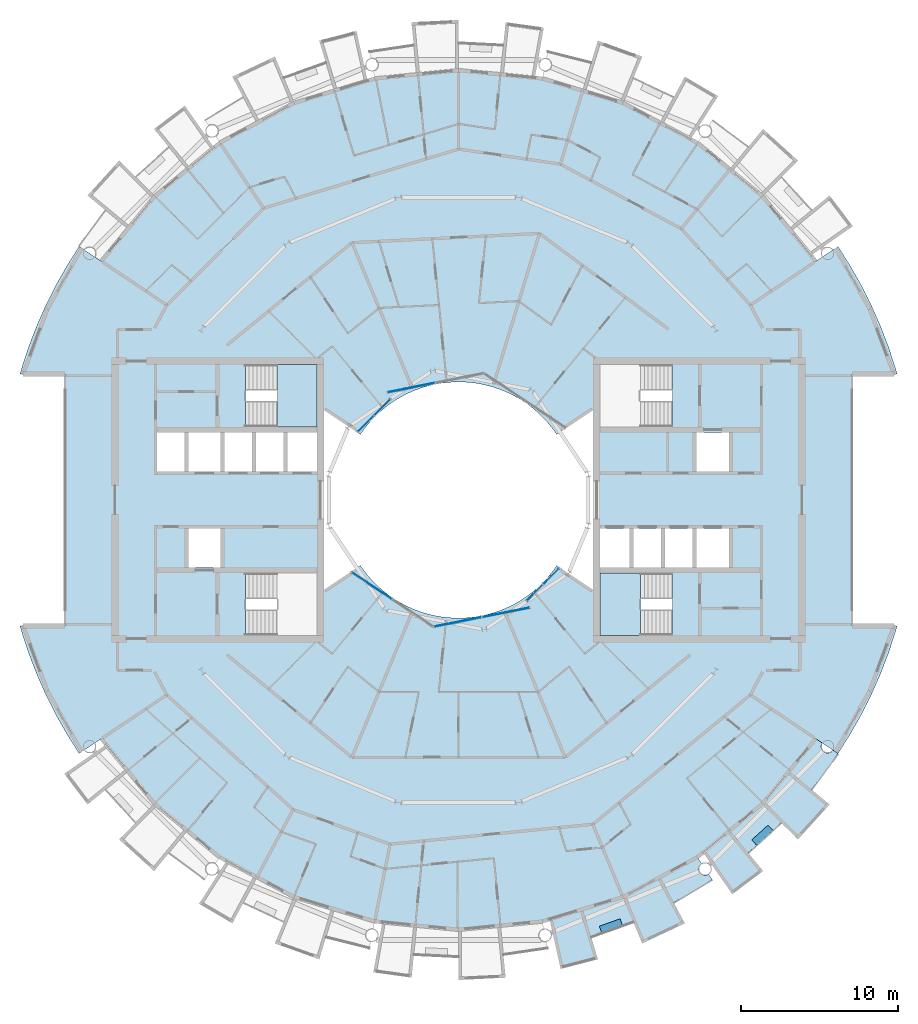
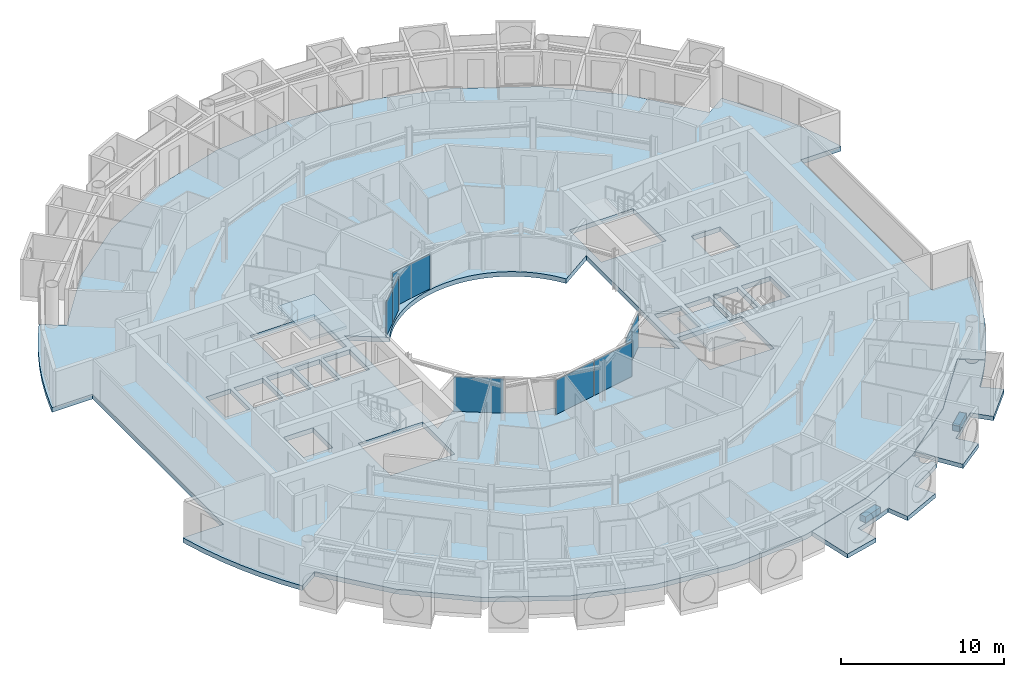
# One storey, part 12 of 29: 8 plates, 7 slabs, 7 elements without a shape of their own.
"""IFC4 building model written with IfcOpenShell, lengths in metres."""

from ifc_helpers import new_model, si_unit, direction, frame, origin, origin_2d, place, context, subcontext, project, spatial, polyline, rectangle, outline, extrude, material, layer, layer_set, type_object, element, aggregate, save


model = new_model("IFC4")

# Units and contexts
model_context = context("Model", 3, precision=1e-05, world=origin(), true_north=direction((0.0, 1.0)))
body_context = subcontext(model_context, "Body", "Model", "MODEL_VIEW")
ifc_project = project(units=[si_unit("LENGTHUNIT", "METRE"), si_unit("AREAUNIT", "SQUARE_METRE"), si_unit("VOLUMEUNIT", "CUBIC_METRE"), si_unit("PLANEANGLEUNIT", "RADIAN"), si_unit("MASSUNIT", "GRAM", prefix="KILO")], contexts=[model_context])

# Site, building, storey
site_placement = place(None, origin())
site = spatial("IfcSite", under=ifc_project, at=site_placement, CompositionType="ELEMENT")
building_placement = place(site_placement, origin())
building = spatial("IfcBuilding", under=site, at=building_placement, Name="Maasbend Ring Residences", CompositionType="ELEMENT")
storey_placement = place(building_placement, frame((0.0, 0.0, 202.39990234375)))
storey = spatial("IfcBuildingStorey", under=building, at=storey_placement, Name="L58", CompositionType="ELEMENT", Elevation=202.39990234375)

# Stair, slab
ifc_material_1 = material(Name="Concrete C40/50", Category="concrete")
stair_type = type_object("IfcStairType", Name="CORE STAIR 18 RISERS", PredefinedType="HALF_TURN_STAIR", material=ifc_material_1)
stair_1_placement = place(storey_placement, origin())
stair_1 = element("IfcStair", 1, at=stair_1_placement, inside=storey, type_object=stair_type, Name="L58 Exit stair ST-E2", PredefinedType="HALF_TURN_STAIR")
ifc_material_2 = material(Name="Concrete C40/50", Category="concrete")
ifc_layer_1 = layer(ifc_material_2, 0.199951171875)
ifc_layer_set_1 = layer_set([ifc_layer_1], Name="Concrete C40/50")
slab_type_1 = type_object("IfcSlabType", Name="CORE STAIR LANDING 200", PredefinedType="LANDING", material=ifc_layer_set_1)
slab_1_placement = place(storey_placement, frame((0.0, 0.0, 1.3251953125)))
slab_1 = element("IfcSlab", 2, at=slab_1_placement, type_object=slab_type_1, Name="ST-E2 landing 1", PredefinedType="LANDING", context=body_context, shape_type="SweptSolid", body=[
    extrude(outline(polyline([(11.550048828125, -4.64990234375), (9.0, -4.64990234375), (9.0, -8.60009765625), (11.550048828125, -8.60009765625), (11.550048828125, -4.64990234375)])), origin(), (0.0, 0.0, 1.0), 0.199951171875),
])
aggregate(stair_1, [slab_1])

stair_2_placement = place(storey_placement, origin())
stair_2 = element("IfcStair", 3, at=stair_2_placement, inside=storey, type_object=stair_type, Name="L58 Exit stair ST-W2", PredefinedType="HALF_TURN_STAIR")
slab_2_placement = place(storey_placement, frame((0.0, 0.0, 1.3251953125)))
slab_2 = element("IfcSlab", 4, at=slab_2_placement, type_object=slab_type_1, Name="ST-W2 landing 1", PredefinedType="LANDING", context=body_context, shape_type="SweptSolid", body=[
    extrude(outline(polyline([(-11.550048828125, 4.64990234375), (-9.0, 4.64990234375), (-9.0, 8.60009765625), (-11.550048828125, 8.60009765625), (-11.550048828125, 4.64990234375)])), origin(), (0.0, 0.0, 1.0), 0.199951171875),
])
aggregate(stair_2, [slab_2])

# Curtain wall, plate
ifc_material_3 = material(Name="Aluminium and clear glass", Category="aluminium")
ifc_layer_2 = layer(ifc_material_3, 0.179931640625)
ifc_layer_set_2 = layer_set([ifc_layer_2], Name="CW-W")
curtain_wall_type = type_object("IfcCurtainWallType", Name="CW-W", PredefinedType="NOTDEFINED", material=ifc_layer_set_2)
curtain_wall_1_placement = place(storey_placement, origin())
curtain_wall_1 = element("IfcCurtainWall", 5, at=curtain_wall_1_placement, inside=storey, type_object=curtain_wall_type, Name="Well curtain wall N2", PredefinedType="NOTDEFINED")
ifc_material_4 = material(Name="Glass clear laminated", Category="glass")
ifc_layer_3 = layer(ifc_material_4, 0.031982421875)
ifc_layer_set_3 = layer_set([ifc_layer_3], Name="CWP-W")
plate_type = type_object("IfcPlateType", Name="CWP-W", PredefinedType="CURTAIN_PANEL", material=ifc_layer_set_3)
plate_1_placement = place(storey_placement, frame((-3.0078125, 7.140380859375, 0.0), z_axis=(0.0, 0.0, 1.0), x_axis=(-0.980785280403, -0.195090322016, 0.0)))
plate_1 = element("IfcPlate", 6, at=plate_1_placement, type_object=plate_type, Name="Glass panel well face", PredefinedType="CURTAIN_PANEL", context=body_context, shape_type="SweptSolid", body=[
    extrude(rectangle(XDim=3.053955078125, YDim=0.031982421875, at=origin_2d()), origin(), (0.0, 0.0, 1.0), 2.580078125),
])
aggregate(curtain_wall_1, [plate_1])

# Curtain wall, plates
curtain_wall_2_placement = place(storey_placement, origin())
curtain_wall_2 = element("IfcCurtainWall", 7, at=curtain_wall_2_placement, inside=storey, type_object=curtain_wall_type, Name="Well curtain wall N3", PredefinedType="NOTDEFINED")
plate_2_placement = place(storey_placement, frame((-4.84375, 5.89013671875, 0.0), z_axis=(0.0, 0.0, 1.0), x_axis=(-0.707106781187, -0.707106781187, 0.0)))
plate_2 = element("IfcPlate", 8, at=plate_2_placement, type_object=plate_type, Name="Glass panel well face", PredefinedType="CURTAIN_PANEL", context=body_context, shape_type="SweptSolid", body=[
    extrude(rectangle(XDim=1.419677734375, YDim=0.031982421875, at=origin_2d()), origin(), (0.0, 0.0, 1.0), 2.580078125),
])
plate_3_placement = place(storey_placement, frame((-5.89013671875, 4.84375, 0.0), z_axis=(0.0, 0.0, 1.0), x_axis=(-0.707106781187, -0.707106781187, 0.0)))
plate_3 = element("IfcPlate", 9, at=plate_3_placement, type_object=plate_type, Name="Glass panel well face", PredefinedType="CURTAIN_PANEL", context=body_context, shape_type="SweptSolid", body=[
    extrude(rectangle(XDim=1.419677734375, YDim=0.031982421875, at=origin_2d()), origin(), (0.0, 0.0, 1.0), 2.580078125),
])
aggregate(curtain_wall_2, [plate_2, plate_3])

# Curtain wall, plate
curtain_wall_3_placement = place(storey_placement, origin())
curtain_wall_3 = element("IfcCurtainWall", 10, at=curtain_wall_3_placement, inside=storey, type_object=curtain_wall_type, Name="Well curtain wall S1", PredefinedType="NOTDEFINED")
plate_4_placement = place(storey_placement, frame((-5.51123046875, -5.44580078125, 0.0), z_axis=(0.0, 0.0, 1.0), x_axis=(0.831469612303, -0.55557023302, 0.0)))
plate_4 = element("IfcPlate", 11, at=plate_4_placement, type_object=plate_type, Name="Glass panel well face", PredefinedType="CURTAIN_PANEL", context=body_context, shape_type="SweptSolid", body=[
    extrude(rectangle(XDim=3.053955078125, YDim=0.031982421875, at=origin_2d()), origin(), (0.0, 0.0, 1.0), 2.580078125),
])
aggregate(curtain_wall_3, [plate_4])

# Curtain wall, plates
curtain_wall_4_placement = place(storey_placement, origin())
curtain_wall_4 = element("IfcCurtainWall", 12, at=curtain_wall_4_placement, inside=storey, type_object=curtain_wall_type, Name="Well curtain wall S2", PredefinedType="NOTDEFINED")
plate_5_placement = place(storey_placement, frame((-0.04638671875, -7.747802734375, 0.0), z_axis=(0.0, 0.0, 1.0), x_axis=(0.980785280403, 0.195090322016, 0.0)))
plate_5 = element("IfcPlate", 13, at=plate_5_placement, type_object=plate_type, Name="Glass panel well face", PredefinedType="CURTAIN_PANEL", context=body_context, shape_type="SweptSolid", body=[
    extrude(rectangle(XDim=3.053955078125, YDim=0.031982421875, at=origin_2d()), origin(), (0.0, 0.0, 1.0), 2.580078125),
])
plate_6_placement = place(storey_placement, frame((3.0078125, -7.140380859375, 0.0), z_axis=(0.0, 0.0, 1.0), x_axis=(0.980785280403, 0.195090322016, 0.0)))
plate_6 = element("IfcPlate", 14, at=plate_6_placement, type_object=plate_type, Name="Glass panel well face", PredefinedType="CURTAIN_PANEL", context=body_context, shape_type="SweptSolid", body=[
    extrude(rectangle(XDim=3.053955078125, YDim=0.031982421875, at=origin_2d()), origin(), (0.0, 0.0, 1.0), 2.580078125),
])
aggregate(curtain_wall_4, [plate_5, plate_6])

curtain_wall_5_placement = place(storey_placement, origin())
curtain_wall_5 = element("IfcCurtainWall", 15, at=curtain_wall_5_placement, inside=storey, type_object=curtain_wall_type, Name="Well curtain wall S3", PredefinedType="NOTDEFINED")
plate_7_placement = place(storey_placement, frame((4.84375, -5.89013671875, 0.0), z_axis=(0.0, 0.0, 1.0), x_axis=(0.707106781187, 0.707106781187, 0.0)))
plate_7 = element("IfcPlate", 16, at=plate_7_placement, type_object=plate_type, Name="Glass panel well face", PredefinedType="CURTAIN_PANEL", context=body_context, shape_type="SweptSolid", body=[
    extrude(rectangle(XDim=1.419677734375, YDim=0.031982421875, at=origin_2d()), origin(), (0.0, 0.0, 1.0), 2.580078125),
])
plate_8_placement = place(storey_placement, frame((5.89013671875, -4.84375, 0.0), z_axis=(0.0, 0.0, 1.0), x_axis=(0.707106781187, 0.707106781187, 0.0)))
plate_8 = element("IfcPlate", 17, at=plate_8_placement, type_object=plate_type, Name="Glass panel well face", PredefinedType="CURTAIN_PANEL", context=body_context, shape_type="SweptSolid", body=[
    extrude(rectangle(XDim=1.419677734375, YDim=0.031982421875, at=origin_2d()), origin(), (0.0, 0.0, 1.0), 2.580078125),
])
aggregate(curtain_wall_5, [plate_7, plate_8])

# Slabs
ifc_material_5 = material(Name="Planting with climbing greenery")
ifc_layer_4 = layer(ifc_material_5, 0.449951171875)
ifc_layer_set_4 = layer_set([ifc_layer_4], Name="PLANTER-LG")
slab_type_2 = type_object("IfcSlabType", Name="PLANTER-LG", PredefinedType="USERDEFINED", material=ifc_layer_set_4)
slab_3_placement = place(storey_placement, frame((0.0, 0.0, -0.02978515625)))
element("IfcSlab", 18, at=slab_3_placement, inside=storey, type_object=slab_type_2, Name="Planter with climbing greenery 4", ObjectType="PLANTER", PredefinedType="USERDEFINED", context=body_context, shape_type="SweptSolid", body=[
    extrude(outline(polyline([(9.09912109375, -27.508056640625), (10.4169921875, -27.035888671875), (10.26611328125, -26.612060546875), (8.947021484375, -27.083984375), (9.09912109375, -27.508056640625)])), origin(), (0.0, 0.0, 1.0), 0.449951171875),
])
slab_4_placement = place(storey_placement, frame((0.0, 0.0, -0.02978515625)))
element("IfcSlab", 19, at=slab_4_placement, inside=storey, type_object=slab_type_2, Name="Planter with climbing greenery 5", ObjectType="PLANTER", PredefinedType="USERDEFINED", context=body_context, shape_type="SweptSolid", body=[
    extrude(outline(polyline([(18.93310546875, -21.931884765625), (19.969970703125, -20.991943359375), (19.66796875, -20.657958984375), (18.631103515625, -21.597900390625), (18.93310546875, -21.931884765625)])), origin(), (0.0, 0.0, 1.0), 0.449951171875),
])
ifc_material_6 = material(Name="Concrete C40/50", Category="concrete")
ifc_layer_5 = layer(ifc_material_6, 0.35009765625)
ifc_layer_set_5 = layer_set([ifc_layer_5], Name="Concrete C40/50")
slab_type_3 = type_object("IfcSlabType", Name="Post-tensioned flat plate 350", PredefinedType="FLOOR", material=ifc_layer_set_5)
slab_5_placement = place(storey_placement, frame((0.0, 0.0, -0.349853515625)))
element("IfcSlab", 20, at=slab_5_placement, inside=storey, type_object=slab_type_3, Name="Floor slab L58", PredefinedType="FLOOR", context=body_context, shape_type="SweptSolid", body=[
    extrude(outline(polyline([(24.8740234375, -14.908935546875), (25.57568359375, -13.67041015625), (26.2158203125, -12.399169921875), (26.79248046875, -11.097900390625), (27.3046875, -9.769775390625), (27.751220703125, -8.418212890625), (27.866943359375, -8.0), (25.0, -8.0), (25.0, 8.0), (27.866943359375, 8.0), (27.751220703125, 8.418212890625), (27.3046875, 9.769775390625), (26.79248046875, 11.097900390625), (26.2158203125, 12.399169921875), (25.57568359375, 13.67041015625), (24.8740234375, 14.908935546875), (24.112548828125, 16.111572265625), (22.69921875, 15.1669921875), (19.303955078125, 19.303955078125), (15.1669921875, 22.69921875), (10.447265625, 25.221923828125), (5.325927734375, 26.775390625), (0.0, 27.300048828125), (-5.325927734375, 26.775390625), (-10.447265625, 25.221923828125), (-15.1669921875, 22.69921875), (-19.303955078125, 19.303955078125), (-22.69921875, 15.1669921875), (-24.112548828125, 16.111572265625), (-24.8740234375, 14.908935546875), (-25.57568359375, 13.67041015625), (-26.2158203125, 12.399169921875), (-26.79248046875, 11.097900390625), (-27.3046875, 9.769775390625), (-27.751220703125, 8.418212890625), (-27.866943359375, 8.0), (-25.0, 8.0), (-25.0, -8.0), (-27.866943359375, -8.0), (-27.751220703125, -8.418212890625), (-27.3046875, -9.769775390625), (-26.79248046875, -11.097900390625), (-26.2158203125, -12.399169921875), (-25.57568359375, -13.67041015625), (-24.8740234375, -14.908935546875), (-24.112548828125, -16.111572265625), (-22.69921875, -15.1669921875), (-19.303955078125, -19.303955078125), (-15.1669921875, -22.69921875), (-10.447265625, -25.221923828125), (-5.325927734375, -26.775390625), (0.0, -27.300048828125), (5.325927734375, -26.775390625), (10.447265625, -25.221923828125), (15.1669921875, -22.69921875), (19.303955078125, -19.303955078125), (22.69921875, -15.1669921875), (24.112548828125, -16.111572265625), (24.8740234375, -14.908935546875)]), holes=[polyline([(15.125, 1.824951171875), (15.125, 4.27490234375), (17.175048828125, 4.27490234375), (17.175048828125, 1.824951171875), (15.125, 1.824951171875)]), polyline([(15.125, -4.27490234375), (15.125, -1.824951171875), (17.175048828125, -1.824951171875), (17.175048828125, -4.27490234375), (15.125, -4.27490234375)]), polyline([(13.125, -4.27490234375), (13.125, -1.824951171875), (14.875, -1.824951171875), (14.875, -4.27490234375), (13.125, -4.27490234375)]), polyline([(13.550048828125, 8.60009765625), (13.550048828125, 4.64990234375), (9.0, 4.64990234375), (9.0, 8.60009765625), (13.550048828125, 8.60009765625)]), polyline([(13.550048828125, -4.64990234375), (13.550048828125, -8.60009765625), (9.0, -8.60009765625), (9.0, -4.64990234375), (13.550048828125, -4.64990234375)]), polyline([(11.125, -4.27490234375), (11.125, -1.824951171875), (12.875, -1.824951171875), (12.875, -4.27490234375), (11.125, -4.27490234375)]), polyline([(9.0, -4.27490234375), (9.0, -1.824951171875), (10.875, -1.824951171875), (10.875, -4.27490234375), (9.0, -4.27490234375)]), polyline([(6.024169921875, 4.4677734375), (6.236083984375, 4.166748046875), (8.550048828125, 5.712890625), (8.550048828125, -5.712890625), (6.236083984375, -4.166748046875), (6.024169921875, -4.4677734375), (5.797607421875, -4.7578125), (5.55712890625, -5.03662109375), (5.30322265625, -5.30322265625), (5.03662109375, -5.55712890625), (4.7578125, -5.797607421875), (4.4677734375, -6.024169921875), (4.166748046875, -6.236083984375), (3.855712890625, -6.43310546875), (3.535400390625, -6.614501953125), (3.206787109375, -6.77978515625), (2.8701171875, -6.92919921875), (2.526611328125, -7.0615234375), (2.177001953125, -7.177001953125), (1.822509765625, -7.275146484375), (1.463134765625, -7.35595703125), (1.1005859375, -7.418701171875), (0.735107421875, -7.4638671875), (0.367919921875, -7.490966796875), (0.0, -7.5), (-0.367919921875, -7.490966796875), (-0.735107421875, -7.4638671875), (-1.1005859375, -7.418701171875), (-1.463134765625, -7.35595703125), (-1.822509765625, -7.275146484375), (-2.177001953125, -7.177001953125), (-2.526611328125, -7.0615234375), (-2.8701171875, -6.92919921875), (-3.206787109375, -6.77978515625), (-3.535400390625, -6.614501953125), (-3.855712890625, -6.43310546875), (-4.166748046875, -6.236083984375), (-4.4677734375, -6.024169921875), (-4.7578125, -5.797607421875), (-5.03662109375, -5.55712890625), (-5.30322265625, -5.30322265625), (-5.55712890625, -5.03662109375), (-5.797607421875, -4.7578125), (-6.024169921875, -4.4677734375), (-6.236083984375, -4.166748046875), (-8.550048828125, -5.712890625), (-8.550048828125, 5.712890625), (-6.236083984375, 4.166748046875), (-6.024169921875, 4.4677734375), (-5.797607421875, 4.7578125), (-5.55712890625, 5.03662109375), (-5.30322265625, 5.30322265625), (-5.03662109375, 5.55712890625), (-4.7578125, 5.797607421875), (-4.4677734375, 6.024169921875), (-4.166748046875, 6.236083984375), (-3.855712890625, 6.43310546875), (-3.535400390625, 6.614501953125), (-3.206787109375, 6.77978515625), (-2.8701171875, 6.92919921875), (-2.526611328125, 7.0615234375), (-2.177001953125, 7.177001953125), (-1.822509765625, 7.275146484375), (-1.463134765625, 7.35595703125), (-1.1005859375, 7.418701171875), (-0.735107421875, 7.4638671875), (-0.367919921875, 7.490966796875), (0.0, 7.5), (0.367919921875, 7.490966796875), (0.735107421875, 7.4638671875), (1.1005859375, 7.418701171875), (1.463134765625, 7.35595703125), (1.822509765625, 7.275146484375), (2.177001953125, 7.177001953125), (2.526611328125, 7.0615234375), (2.8701171875, 6.92919921875), (3.206787109375, 6.77978515625), (3.535400390625, 6.614501953125), (3.855712890625, 6.43310546875), (4.166748046875, 6.236083984375), (4.4677734375, 6.024169921875), (4.7578125, 5.797607421875), (5.03662109375, 5.55712890625), (5.30322265625, 5.30322265625), (5.55712890625, 5.03662109375), (5.797607421875, 4.7578125), (6.024169921875, 4.4677734375)]), polyline([(-13.550048828125, 4.64990234375), (-13.550048828125, 8.60009765625), (-9.0, 8.60009765625), (-9.0, 4.64990234375), (-13.550048828125, 4.64990234375)]), polyline([(-9.0, -8.60009765625), (-13.550048828125, -8.60009765625), (-13.550048828125, -4.64990234375), (-9.0, -4.64990234375), (-9.0, -8.60009765625)]), polyline([(-9.0, 4.27490234375), (-9.0, 1.824951171875), (-10.875, 1.824951171875), (-10.875, 4.27490234375), (-9.0, 4.27490234375)]), polyline([(-11.125, 4.27490234375), (-11.125, 1.824951171875), (-12.875, 1.824951171875), (-12.875, 4.27490234375), (-11.125, 4.27490234375)]), polyline([(-13.125, 4.27490234375), (-13.125, 1.824951171875), (-14.875, 1.824951171875), (-14.875, 4.27490234375), (-13.125, 4.27490234375)]), polyline([(-15.125, 4.27490234375), (-15.125, 1.824951171875), (-17.175048828125, 1.824951171875), (-17.175048828125, 4.27490234375), (-15.125, 4.27490234375)]), polyline([(-15.125, -1.824951171875), (-15.125, -4.27490234375), (-17.175048828125, -4.27490234375), (-17.175048828125, -1.824951171875), (-15.125, -1.824951171875)]), polyline([(-17.425048828125, 4.27490234375), (-17.425048828125, 1.824951171875), (-19.14990234375, 1.824951171875), (-19.14990234375, 4.27490234375), (-17.425048828125, 4.27490234375)])]), origin(), (0.0, 0.0, 1.0), 0.349853515625),
])
ifc_material_7 = material(Name="Concrete C40/50", Category="concrete")
ifc_layer_6 = layer(ifc_material_7, 0.199951171875)
ifc_layer_set_6 = layer_set([ifc_layer_6], Name="Concrete C40/50")
slab_type_4 = type_object("IfcSlabType", Name="SL-LOGGIA", PredefinedType="FLOOR", material=ifc_layer_set_6)
slab_6_placement = place(storey_placement, frame((0.0, 0.0, -0.349853515625)))
element("IfcSlab", 21, at=slab_6_placement, inside=storey, type_object=slab_type_4, Name="Loggia floor 1", PredefinedType="FLOOR", context=body_context, shape_type="SweptSolid", body=[
    extrude(outline(polyline([(10.447021484375, -25.221923828125), (12.806884765625, -23.9609375), (15.1669921875, -22.698974609375), (15.1669921875, -22.698974609375), (15.1669921875, -22.698974609375), (15.44091796875, -23.10888671875), (15.43310546875, -23.114990234375), (15.425048828125, -23.12109375), (15.4169921875, -23.126953125), (15.408935546875, -23.133056640625), (15.402099609375, -23.139892578125), (15.39404296875, -23.14599609375), (15.386962890625, -23.153076171875), (15.3798828125, -23.159912109375), (15.373046875, -23.1669921875), (15.365966796875, -23.174072265625), (15.35888671875, -23.181884765625), (15.35302734375, -23.18994140625), (15.346923828125, -23.197021484375), (15.341064453125, -23.205078125), (15.3349609375, -23.212890625), (15.3291015625, -23.221923828125), (15.323974609375, -23.22998046875), (15.318115234375, -23.238037109375), (15.31298828125, -23.2470703125), (15.30908203125, -23.256103515625), (15.303955078125, -23.264892578125), (15.300048828125, -23.27392578125), (15.294921875, -23.282958984375), (15.2919921875, -23.2919921875), (15.2880859375, -23.301025390625), (15.283935546875, -23.31005859375), (15.281005859375, -23.320068359375), (15.278076171875, -23.3291015625), (15.27490234375, -23.339111328125), (15.27294921875, -23.34912109375), (15.27001953125, -23.35791015625), (15.26806640625, -23.367919921875), (15.26708984375, -23.3779296875), (15.264892578125, -23.387939453125), (15.263916015625, -23.39794921875), (15.262939453125, -23.407958984375), (15.261962890625, -23.4169921875), (15.260986328125, -23.427001953125), (15.260986328125, -23.43701171875), (15.260986328125, -23.447021484375), (15.260986328125, -23.45703125), (15.260986328125, -23.467041015625), (15.261962890625, -23.47705078125), (15.262939453125, -23.487060546875), (15.263916015625, -23.4970703125), (15.264892578125, -23.507080078125), (15.26708984375, -23.51708984375), (15.26806640625, -23.527099609375), (15.27001953125, -23.535888671875), (15.27294921875, -23.5458984375), (15.27490234375, -23.555908203125), (15.278076171875, -23.56494140625), (15.281005859375, -23.574951171875), (15.283935546875, -23.583984375), (15.2880859375, -23.593994140625), (15.2919921875, -23.60302734375), (15.294921875, -23.612060546875), (15.300048828125, -23.62109375), (15.303955078125, -23.6298828125), (15.30908203125, -23.638916015625), (15.31298828125, -23.64794921875), (15.318115234375, -23.656005859375), (15.323974609375, -23.6650390625), (15.3291015625, -23.673095703125), (15.3349609375, -23.680908203125), (15.341064453125, -23.68994140625), (15.346923828125, -23.697021484375), (15.35302734375, -23.705078125), (15.35888671875, -23.712890625), (15.365966796875, -23.719970703125), (15.373046875, -23.72802734375), (15.3798828125, -23.735107421875), (15.386962890625, -23.741943359375), (15.39404296875, -23.7490234375), (15.402099609375, -23.7548828125), (15.408935546875, -23.761962890625), (15.4169921875, -23.76806640625), (15.425048828125, -23.77392578125), (15.43310546875, -23.780029296875), (15.44091796875, -23.784912109375), (15.449951171875, -23.791015625), (15.4580078125, -23.7958984375), (15.467041015625, -23.801025390625), (15.47509765625, -23.805908203125), (15.48388671875, -23.81005859375), (15.492919921875, -23.81494140625), (15.501953125, -23.819091796875), (15.511962890625, -23.822998046875), (15.52099609375, -23.826904296875), (15.530029296875, -23.830078125), (15.5400390625, -23.8330078125), (15.549072265625, -23.8359375), (15.55908203125, -23.839111328125), (15.568115234375, -23.842041015625), (15.577880859375, -23.843994140625), (15.587890625, -23.845947265625), (15.597900390625, -23.847900390625), (15.60693359375, -23.85009765625), (15.616943359375, -23.85107421875), (15.626953125, -23.85205078125), (15.636962890625, -23.85302734375), (15.64697265625, -23.85302734375), (15.656982421875, -23.85400390625), (15.6669921875, -23.85400390625), (15.677001953125, -23.85400390625), (15.68701171875, -23.85302734375), (15.697021484375, -23.85302734375), (15.70703125, -23.85205078125), (15.717041015625, -23.85107421875), (15.72705078125, -23.85009765625), (15.737060546875, -23.847900390625), (15.74609375, -23.845947265625), (15.756103515625, -23.843994140625), (15.76611328125, -23.842041015625), (15.77587890625, -23.839111328125), (15.784912109375, -23.8359375), (15.794921875, -23.8330078125), (15.803955078125, -23.830078125), (15.81298828125, -23.826904296875), (15.822998046875, -23.822998046875), (15.83203125, -23.819091796875), (15.841064453125, -23.81494140625), (15.85009765625, -23.81005859375), (15.85888671875, -23.805908203125), (15.866943359375, -23.801025390625), (15.8759765625, -23.7958984375), (15.885009765625, -23.791015625), (15.89306640625, -23.784912109375), (16.112060546875, -24.113037109375), (16.112060546875, -24.113037109375), (16.112060546875, -24.113037109375), (15.31396484375, -24.626953125), (15.31396484375, -24.626953125), (14.5, -25.114990234375), (14.5, -25.114990234375), (13.6708984375, -25.574951171875), (13.6708984375, -25.575927734375), (13.6708984375, -25.575927734375), (13.6708984375, -25.575927734375), (13.6708984375, -25.575927734375), (13.6708984375, -25.575927734375), (13.6708984375, -25.575927734375), (13.6708984375, -25.575927734375), (13.6708984375, -25.575927734375), (13.6708984375, -25.575927734375), (13.6708984375, -25.575927734375), (13.6708984375, -25.575927734375), (13.6708984375, -25.575927734375), (13.6708984375, -25.575927734375), (13.6708984375, -25.575927734375), (13.6708984375, -25.575927734375), (13.6708984375, -25.575927734375), (14.3779296875, -26.89892578125), (14.3779296875, -26.89892578125), (14.3779296875, -26.89892578125), (11.672119140625, -28.177978515625), (11.672119140625, -28.177978515625), (11.672119140625, -28.177978515625), (11.097900390625, -26.79296875), (11.097900390625, -26.79296875), (11.097900390625, -26.79296875), (11.097900390625, -26.79296875), (11.097900390625, -26.79296875), (11.097900390625, -26.79296875), (11.097900390625, -26.79296875), (11.097900390625, -26.79296875), (11.097900390625, -26.79296875), (11.097900390625, -26.79296875), (11.097900390625, -26.79296875), (11.097900390625, -26.79296875), (11.097900390625, -26.79296875), (11.097900390625, -26.79296875), (11.096923828125, -26.79296875), (11.096923828125, -26.79296875), (11.096923828125, -26.79296875), (10.215087890625, -27.14111328125), (10.215087890625, -27.14111328125), (9.322021484375, -27.4609375), (9.322021484375, -27.4609375), (8.4189453125, -27.7509765625), (8.4189453125, -27.7509765625), (8.4189453125, -27.7509765625), (8.4189453125, -27.7509765625), (8.4189453125, -27.7509765625), (8.4189453125, -27.7509765625), (8.41796875, -27.7509765625), (8.41796875, -27.7509765625), (8.41796875, -27.7509765625), (8.41796875, -27.7509765625), (8.41796875, -27.7509765625), (8.41796875, -27.751953125), (8.41796875, -27.751953125), (8.41796875, -27.751953125), (8.41796875, -27.751953125), (8.41796875, -27.751953125), (8.41796875, -27.751953125), (8.85400390625, -29.18701171875), (8.85400390625, -29.18701171875), (8.85400390625, -29.18701171875), (6.487060546875, -29.802001953125), (6.487060546875, -29.802001953125), (6.487060546875, -29.802001953125), (5.797119140625, -26.633056640625), (5.797119140625, -26.633056640625), (5.797119140625, -26.633056640625), (7.886962890625, -25.9990234375), (10.447021484375, -25.221923828125), (10.447021484375, -25.221923828125), (10.447021484375, -25.221923828125)])), origin(), (0.0, 0.0, 1.0), 0.320068359375),
])
slab_7_placement = place(storey_placement, frame((0.0, 0.0, -0.349853515625)))
element("IfcSlab", 22, at=slab_7_placement, inside=storey, type_object=slab_type_4, Name="Loggia floor 4", PredefinedType="FLOOR", context=body_context, shape_type="SweptSolid", body=[
    extrude(outline(polyline([(19.303955078125, -19.303955078125), (21.001953125, -17.236083984375), (22.698974609375, -15.1669921875), (22.698974609375, -15.1669921875), (22.698974609375, -15.1669921875), (23.10888671875, -15.44091796875), (23.10888671875, -15.44091796875), (23.10400390625, -15.449951171875), (23.09912109375, -15.4580078125), (23.093994140625, -15.467041015625), (23.089111328125, -15.47509765625), (23.083984375, -15.48388671875), (23.080078125, -15.492919921875), (23.075927734375, -15.501953125), (23.072021484375, -15.511962890625), (23.068115234375, -15.52099609375), (23.06494140625, -15.530029296875), (23.06103515625, -15.5400390625), (23.05810546875, -15.549072265625), (23.055908203125, -15.55908203125), (23.052978515625, -15.568115234375), (23.051025390625, -15.577880859375), (23.049072265625, -15.587890625), (23.047119140625, -15.597900390625), (23.044921875, -15.60693359375), (23.0439453125, -15.616943359375), (23.04296875, -15.626953125), (23.0419921875, -15.636962890625), (23.041015625, -15.64697265625), (23.041015625, -15.656982421875), (23.041015625, -15.6669921875), (23.041015625, -15.677001953125), (23.041015625, -15.68701171875), (23.0419921875, -15.697021484375), (23.04296875, -15.70703125), (23.0439453125, -15.717041015625), (23.044921875, -15.72705078125), (23.047119140625, -15.737060546875), (23.049072265625, -15.74609375), (23.051025390625, -15.756103515625), (23.052978515625, -15.76611328125), (23.055908203125, -15.77587890625), (23.05810546875, -15.784912109375), (23.06103515625, -15.794921875), (23.06494140625, -15.803955078125), (23.068115234375, -15.81298828125), (23.072021484375, -15.822998046875), (23.075927734375, -15.83203125), (23.080078125, -15.841064453125), (23.083984375, -15.85009765625), (23.089111328125, -15.85888671875), (23.093994140625, -15.866943359375), (23.09912109375, -15.8759765625), (23.10400390625, -15.885009765625), (23.10888671875, -15.89306640625), (23.114990234375, -15.90087890625), (23.12109375, -15.908935546875), (23.126953125, -15.9169921875), (23.133056640625, -15.925048828125), (23.139892578125, -15.93310546875), (23.14599609375, -15.93994140625), (23.153076171875, -15.947021484375), (23.159912109375, -15.955078125), (23.1669921875, -15.9619140625), (23.174072265625, -15.968017578125), (23.181884765625, -15.97509765625), (23.18994140625, -15.98095703125), (23.197021484375, -15.988037109375), (23.205078125, -15.993896484375), (23.212890625, -15.9990234375), (23.221923828125, -16.0048828125), (23.22998046875, -16.010986328125), (23.238037109375, -16.01611328125), (23.2470703125, -16.02099609375), (23.256103515625, -16.02587890625), (23.264892578125, -16.030029296875), (23.27392578125, -16.034912109375), (23.282958984375, -16.0390625), (23.2919921875, -16.04296875), (23.301025390625, -16.0458984375), (23.31005859375, -16.050048828125), (23.320068359375, -16.052978515625), (23.3291015625, -16.055908203125), (23.339111328125, -16.05908203125), (23.34912109375, -16.06103515625), (23.35791015625, -16.06396484375), (23.367919921875, -16.06591796875), (23.3779296875, -16.068115234375), (23.387939453125, -16.069091796875), (23.39794921875, -16.071044921875), (23.407958984375, -16.072021484375), (23.4169921875, -16.072021484375), (23.427001953125, -16.072998046875), (23.43701171875, -16.072998046875), (23.447021484375, -16.073974609375), (23.45703125, -16.072998046875), (23.467041015625, -16.072998046875), (23.47705078125, -16.072021484375), (23.487060546875, -16.072021484375), (23.4970703125, -16.071044921875), (23.507080078125, -16.069091796875), (23.51708984375, -16.068115234375), (23.527099609375, -16.06591796875), (23.535888671875, -16.06396484375), (23.5458984375, -16.06103515625), (23.555908203125, -16.05908203125), (23.56494140625, -16.055908203125), (23.574951171875, -16.052978515625), (23.583984375, -16.050048828125), (23.593994140625, -16.0458984375), (23.60302734375, -16.04296875), (23.612060546875, -16.0390625), (23.62109375, -16.034912109375), (23.6298828125, -16.030029296875), (23.638916015625, -16.02587890625), (23.64794921875, -16.02099609375), (23.656005859375, -16.01611328125), (23.6650390625, -16.010986328125), (23.673095703125, -16.0048828125), (23.680908203125, -15.9990234375), (23.68994140625, -15.993896484375), (23.697021484375, -15.988037109375), (23.705078125, -15.98095703125), (23.712890625, -15.97509765625), (23.719970703125, -15.968017578125), (23.72802734375, -15.9619140625), (23.735107421875, -15.955078125), (23.741943359375, -15.947021484375), (23.7490234375, -15.93994140625), (23.7548828125, -15.93310546875), (23.761962890625, -15.925048828125), (23.76806640625, -15.9169921875), (23.77392578125, -15.908935546875), (23.780029296875, -15.90087890625), (23.784912109375, -15.89306640625), (23.784912109375, -15.89306640625), (24.113037109375, -16.112060546875), (24.113037109375, -16.112060546875), (24.113037109375, -16.112060546875), (23.572998046875, -16.89208984375), (23.572998046875, -16.89208984375), (23.007080078125, -17.654052734375), (23.007080078125, -17.654052734375), (22.41796875, -18.39697265625), (22.41796875, -18.39697265625), (22.41796875, -18.39697265625), (22.41796875, -18.39697265625), (22.41796875, -18.39697265625), (22.41796875, -18.39697265625), (22.41796875, -18.39697265625), (22.41796875, -18.39697265625), (22.41796875, -18.39697265625), (22.41796875, -18.39697265625), (22.41796875, -18.39697265625), (22.41796875, -18.39794921875), (22.41796875, -18.39794921875), (22.41796875, -18.39794921875), (22.41796875, -18.39794921875), (22.41796875, -18.39794921875), (22.41796875, -18.39794921875), (23.576904296875, -19.34912109375), (23.576904296875, -19.34912109375), (23.576904296875, -19.34912109375), (21.56689453125, -21.56689453125), (21.56689453125, -21.56689453125), (21.56689453125, -21.56689453125), (20.506103515625, -20.506103515625), (20.506103515625, -20.506103515625), (20.506103515625, -20.506103515625), (20.506103515625, -20.506103515625), (20.506103515625, -20.506103515625), (20.506103515625, -20.506103515625), (20.506103515625, -20.506103515625), (20.506103515625, -20.506103515625), (20.506103515625, -20.506103515625), (20.506103515625, -20.506103515625), (20.506103515625, -20.506103515625), (20.506103515625, -20.506103515625), (20.506103515625, -20.506103515625), (20.506103515625, -20.506103515625), (20.506103515625, -20.506103515625), (20.506103515625, -20.506103515625), (20.506103515625, -20.506103515625), (19.823974609375, -21.166015625), (19.823974609375, -21.166015625), (19.12109375, -21.802978515625), (19.12109375, -21.802978515625), (18.39794921875, -22.4169921875), (18.39794921875, -22.4169921875), (18.39794921875, -22.4169921875), (18.39794921875, -22.4169921875), (18.39794921875, -22.4169921875), (18.39794921875, -22.4169921875), (18.39794921875, -22.4169921875), (18.39794921875, -22.4169921875), (18.39794921875, -22.4169921875), (18.39794921875, -22.4169921875), (18.39794921875, -22.4169921875), (18.39794921875, -22.4169921875), (18.39794921875, -22.41796875), (18.39794921875, -22.41796875), (18.39794921875, -22.41796875), (18.39794921875, -22.41796875), (18.39794921875, -22.41796875), (19.34912109375, -23.576904296875), (19.34912109375, -23.576904296875), (19.34912109375, -23.576904296875), (17.39794921875, -25.051025390625), (17.39794921875, -25.051025390625), (17.39794921875, -25.051025390625), (15.547119140625, -22.386962890625), (15.547119140625, -22.386962890625), (15.547119140625, -22.386962890625), (17.236083984375, -21.001953125), (19.303955078125, -19.303955078125), (19.303955078125, -19.303955078125), (19.303955078125, -19.303955078125)])), origin(), (0.0, 0.0, 1.0), 0.320068359375),
])

save(model, "model.ifc")
